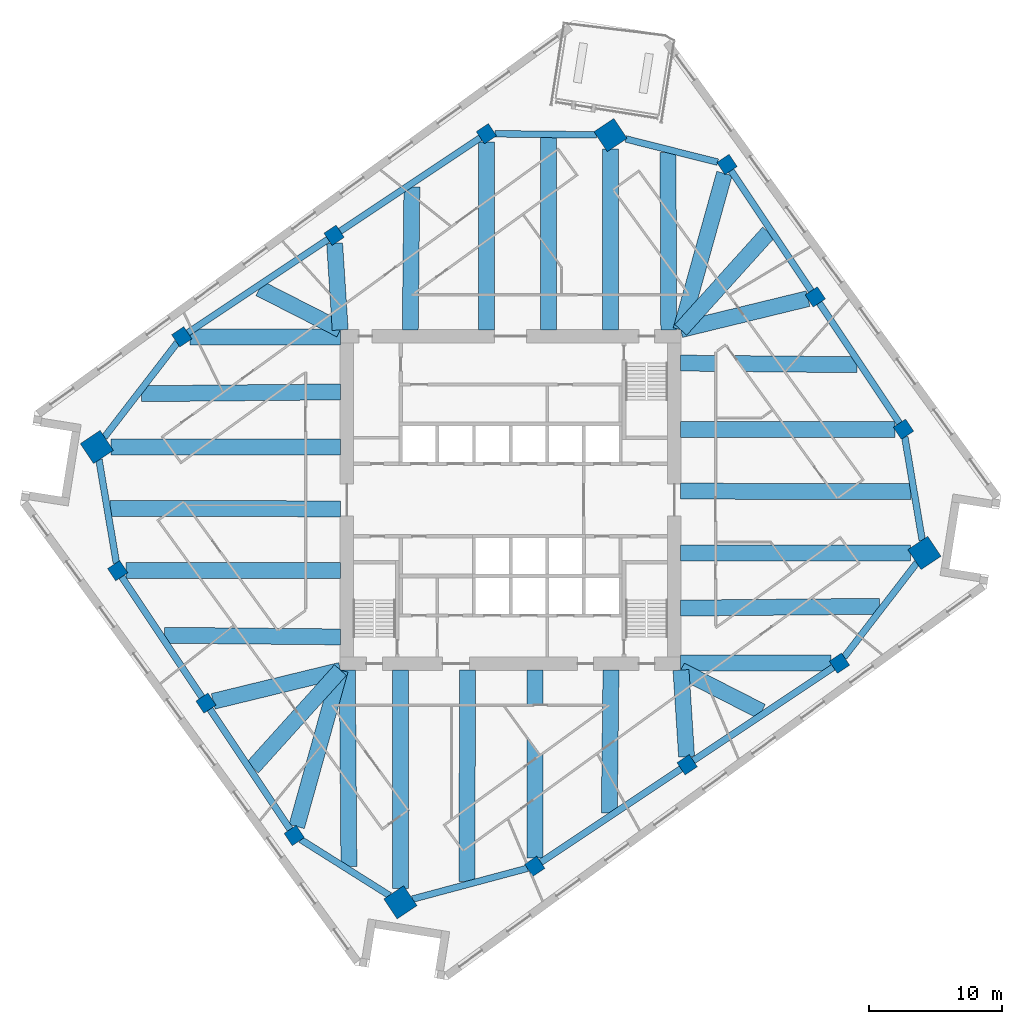
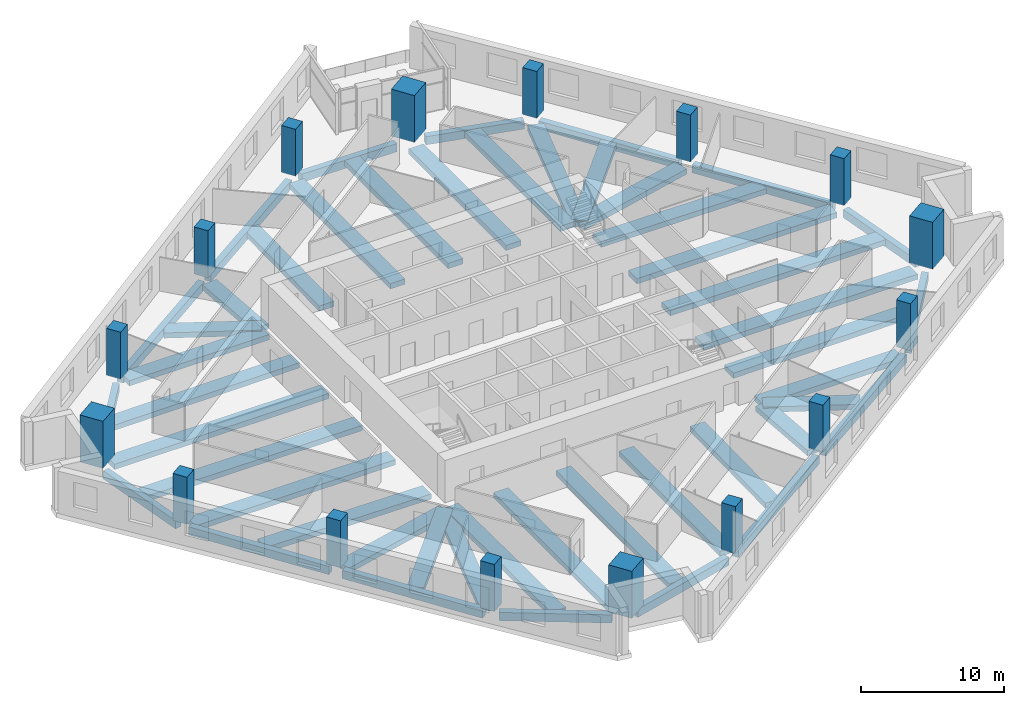
# One storey, part 1 of 11: 48 beams, 16 columns.
"""IFC4 building model written with IfcOpenShell, lengths in metres."""

from ifc_helpers import new_model, si_unit, direction, frame, origin, origin_2d, place, context, subcontext, project, spatial, rectangle, extrude, material, material_profile, profile_set, type_object, element, save


model = new_model("IFC4")

# Units and contexts
model_context = context("Model", 3, precision=1e-05, world=origin(), true_north=direction((0.0, 1.0)))
body_context = subcontext(model_context, "Body", "Model", "MODEL_VIEW")
ifc_project = project(units=[si_unit("LENGTHUNIT", "METRE"), si_unit("AREAUNIT", "SQUARE_METRE"), si_unit("VOLUMEUNIT", "CUBIC_METRE"), si_unit("PLANEANGLEUNIT", "RADIAN"), si_unit("MASSUNIT", "GRAM", prefix="KILO")], contexts=[model_context])

# Site, building, storey
site_placement = place(None, origin())
site = spatial("IfcSite", under=ifc_project, at=site_placement, CompositionType="ELEMENT")
building_placement = place(site_placement, origin())
building = spatial("IfcBuilding", under=site, at=building_placement, Name="Dilmun Exchange Tower", CompositionType="ELEMENT")
storey_placement = place(building_placement, frame((0.0, 0.0, 171.699951171875)))
storey = spatial("IfcBuildingStorey", under=building, at=storey_placement, Name="L40", CompositionType="ELEMENT", Elevation=171.699951171875)

# Columns
ifc_material_1 = material(Name="Concrete C60/75", Category="concrete")
ifc_material_profile_1 = material_profile(ifc_material_1, rectangle(XDim=1.800048828125, YDim=1.800048828125, at=origin_2d()), Name="1800 x 1800")
ifc_profile_set_1 = profile_set([ifc_material_profile_1], Name="Concrete C60/75")
column_type_1 = type_object("IfcColumnType", Name="RC mega column 1800 x 1800 C60/75", PredefinedType="COLUMN", material=ifc_profile_set_1)
for number, where, z_axis, x_axis, name in (
    (1, (7.506103515625, 27.409912109375, 0.0), (0.0, 0.0, 1.0), (0.832028680356, 0.55473261583, 0.0), "Mega column M1"),
    (2, (-31.0791015625, 3.98193359375, 0.0), (0.0, 0.0, 1.0), (0.832028680356, 0.55473261583, 0.0), "Mega column M2"),
    (3, (-8.27587890625, -30.220947265625, 0.0), (0.0, 0.0, 1.0), (0.832028680356, 0.55473261583, 0.0), "Mega column M3"),
    (4, (31.0791015625, -3.98193359375, 0.0), (0.0, 0.0, 1.0), (0.832028680356, 0.55473261583, 0.0), "Mega column M4"),
):
    element("IfcColumn", number, at=place(storey_placement, frame(where, z_axis=z_axis, x_axis=x_axis)), inside=storey, type_object=column_type_1, Name=name, PredefinedType="COLUMN", context=body_context, shape_type="SweptSolid", body=[
        extrude(rectangle(XDim=1.800048828125, YDim=1.800048828125, at=origin_2d()), origin(), (0.0, 0.0, 1.0), 4.0),
    ])
ifc_material_profile_2 = material_profile(ifc_material_1, rectangle(XDim=1.10009765625, YDim=1.10009765625, at=origin_2d()), Name="1100 x 1100")
ifc_profile_set_2 = profile_set([ifc_material_profile_2], Name="Concrete C60/75")
column_type_2 = type_object("IfcColumnType", Name="RC ring column 1100 x 1100 C60/75", PredefinedType="COLUMN", material=ifc_profile_set_2)
for number, where, z_axis, x_axis, name in (
    (5, (-1.818115234375, 27.512939453125, 0.0), (0.0, 0.0, 1.0), (0.832028680356, 0.55473261583, 0.0), "Ring column R01"),
    (6, (-13.258056640625, 19.885009765625, 0.0), (0.0, 0.0, 1.0), (0.832028680356, 0.55473261583, 0.0), "Ring column R02"),
    (7, (-24.698974609375, 12.258056640625, 0.0), (0.0, 0.0, 1.0), (0.832028680356, 0.55473261583, 0.0), "Ring column R03"),
    (8, (-29.510009765625, -5.31201171875, 0.0), (0.0, 0.0, 1.0), (0.832028680356, 0.55473261583, 0.0), "Ring column R04"),
    (9, (-22.881103515625, -15.2548828125, 0.0), (0.0, 0.0, 1.0), (0.832028680356, 0.55473261583, 0.0), "Ring column R05"),
    (10, (-16.251953125, -25.197998046875, 0.0), (0.0, 0.0, 1.0), (0.832028680356, 0.55473261583, 0.0), "Ring column R06"),
    (11, (1.818115234375, -27.512939453125, 0.0), (0.0, 0.0, 1.0), (0.832028680356, 0.55473261583, 0.0), "Ring column R07"),
    (12, (13.258056640625, -19.885009765625, 0.0), (0.0, 0.0, 1.0), (0.832028680356, 0.55473261583, 0.0), "Ring column R08"),
    (13, (24.698974609375, -12.258056640625, 0.0), (0.0, 0.0, 1.0), (0.832028680356, 0.55473261583, 0.0), "Ring column R09"),
    (14, (29.510009765625, 5.31201171875, 0.0), (0.0, 0.0, 1.0), (0.832028680356, 0.55473261583, 0.0), "Ring column R10"),
    (15, (22.881103515625, 15.2548828125, 0.0), (0.0, 0.0, 1.0), (0.832028680356, 0.55473261583, 0.0), "Ring column R11"),
    (16, (16.251953125, 25.197998046875, 0.0), (0.0, 0.0, 1.0), (0.832028680356, 0.55473261583, 0.0), "Ring column R12"),
):
    element("IfcColumn", number, at=place(storey_placement, frame(where, z_axis=z_axis, x_axis=x_axis)), inside=storey, type_object=column_type_2, Name=name, PredefinedType="COLUMN", context=body_context, shape_type="SweptSolid", body=[
        extrude(rectangle(XDim=1.10009765625, YDim=1.10009765625, at=origin_2d()), origin(), (0.0, 0.0, 1.0), 4.0),
    ])

# Beams
ifc_material_2 = material(Name="Concrete C40/50", Category="concrete")
ifc_material_profile_3 = material_profile(ifc_material_2, rectangle(XDim=1.199951171875, YDim=0.449951171875, at=origin_2d()), Name="1200 x 450")
ifc_profile_set_3 = profile_set([ifc_material_profile_3], Name="Concrete C40/50")
beam_type_1 = type_object("IfcBeamType", Name="RC band beam 1200 x 450 C40/50", PredefinedType="BEAM", material=ifc_profile_set_3)
beam_1_placement = place(storey_placement, frame((7.506103515625, 26.355224609375, -0.724853515625), z_axis=(0.0, -1.0, 0.0), x_axis=(1.0, 0.0, 0.0)))
element("IfcBeam", 17, at=beam_1_placement, inside=storey, type_object=beam_type_1, Name="Band beam 1", PredefinedType="BEAM", context=body_context, shape_type="SweptSolid", body=[
    extrude(rectangle(XDim=1.199951171875, YDim=0.449951171875, at=origin_2d()), origin(), (0.0, 0.0, 1.0), 13.582275390625),
])
beam_2_placement = place(storey_placement, frame((-1.818115234375, 26.87890625, -0.724853515625), z_axis=(0.0, -1.0, 0.0), x_axis=(1.0, 0.0, 0.0)))
element("IfcBeam", 18, at=beam_2_placement, inside=storey, type_object=beam_type_1, Name="Band beam 2", PredefinedType="BEAM", context=body_context, shape_type="SweptSolid", body=[
    extrude(rectangle(XDim=1.199951171875, YDim=0.449951171875, at=origin_2d()), origin(), (0.0, 0.0, 1.0), 14.10595703125),
])
beam_3_placement = place(storey_placement, frame((-13.21875, 19.2783203125, -0.724853515625), z_axis=(0.064492965824, -0.997918161654, 0.0), x_axis=(0.997918161654, 0.064492965824, 0.0)))
element("IfcBeam", 19, at=beam_3_placement, inside=storey, type_object=beam_type_1, Name="Band beam 3", PredefinedType="BEAM", context=body_context, shape_type="SweptSolid", body=[
    extrude(rectangle(XDim=1.199951171875, YDim=0.449951171875, at=origin_2d()), origin(), (0.0, 0.0, 1.0), 6.518798828125),
])
beam_4_placement = place(storey_placement, frame((-24.06494140625, 12.258056640625, -0.724853515625), z_axis=(1.0, 0.0, 0.0), x_axis=(0.0, 1.0, 0.0)))
element("IfcBeam", 20, at=beam_4_placement, inside=storey, type_object=beam_type_1, Name="Band beam 4", PredefinedType="BEAM", context=body_context, shape_type="SweptSolid", body=[
    extrude(rectangle(XDim=1.199951171875, YDim=0.449951171875, at=origin_2d()), origin(), (0.0, 0.0, 1.0), 11.2919921875),
])
beam_5_placement = place(storey_placement, frame((-30.0244140625, 3.98193359375, -0.724853515625), z_axis=(1.0, 0.0, 0.0), x_axis=(0.0, 1.0, 0.0)))
element("IfcBeam", 21, at=beam_5_placement, inside=storey, type_object=beam_type_1, Name="Band beam 5", PredefinedType="BEAM", context=body_context, shape_type="SweptSolid", body=[
    extrude(rectangle(XDim=1.199951171875, YDim=0.449951171875, at=origin_2d()), origin(), (0.0, 0.0, 1.0), 17.25146484375),
])
beam_6_placement = place(storey_placement, frame((-28.8759765625, -5.31201171875, -0.724853515625), z_axis=(1.0, 0.0, 0.0), x_axis=(0.0, 1.0, 0.0)))
element("IfcBeam", 22, at=beam_6_placement, inside=storey, type_object=beam_type_1, Name="Band beam 6", PredefinedType="BEAM", context=body_context, shape_type="SweptSolid", body=[
    extrude(rectangle(XDim=1.199951171875, YDim=0.449951171875, at=origin_2d()), origin(), (0.0, 0.0, 1.0), 16.10302734375),
])
beam_7_placement = place(storey_placement, frame((-22.33837890625, -15.122802734375, -0.724853515625), z_axis=(0.971607999859, 0.236596480554, 0.0), x_axis=(-0.236596480554, 0.971607999859, 0.0)))
element("IfcBeam", 23, at=beam_7_placement, inside=storey, type_object=beam_type_1, Name="Band beam 7", PredefinedType="BEAM", context=body_context, shape_type="SweptSolid", body=[
    extrude(rectangle(XDim=1.199951171875, YDim=0.449951171875, at=origin_2d()), origin(), (0.0, 0.0, 1.0), 9.84423828125),
])
beam_8_placement = place(storey_placement, frame((-16.064453125, -24.524658203125, -0.724853515625), z_axis=(0.268225004284, 0.963356292904, 0.0), x_axis=(-0.963356292904, 0.268225004284, 0.0)))
element("IfcBeam", 24, at=beam_8_placement, inside=storey, type_object=beam_type_1, Name="Band beam 8", PredefinedType="BEAM", context=body_context, shape_type="SweptSolid", body=[
    extrude(rectangle(XDim=1.199951171875, YDim=0.449951171875, at=origin_2d()), origin(), (0.0, 0.0, 1.0), 12.19775390625),
])
beam_9_placement = place(storey_placement, frame((-8.27587890625, -29.166259765625, -0.724853515625), z_axis=(0.0, 1.0, 0.0), x_axis=(-1.0, 0.0, 0.0)))
element("IfcBeam", 25, at=beam_9_placement, inside=storey, type_object=beam_type_1, Name="Band beam 9", PredefinedType="BEAM", context=body_context, shape_type="SweptSolid", body=[
    extrude(rectangle(XDim=1.199951171875, YDim=0.449951171875, at=origin_2d()), origin(), (0.0, 0.0, 1.0), 16.393310546875),
])
beam_10_placement = place(storey_placement, frame((1.818115234375, -26.87890625, -0.724853515625), z_axis=(0.0, 1.0, 0.0), x_axis=(-1.0, 0.0, 0.0)))
element("IfcBeam", 26, at=beam_10_placement, inside=storey, type_object=beam_type_1, Name="Band beam 10", PredefinedType="BEAM", context=body_context, shape_type="SweptSolid", body=[
    extrude(rectangle(XDim=1.199951171875, YDim=0.449951171875, at=origin_2d()), origin(), (0.0, 0.0, 1.0), 14.10595703125),
])
beam_11_placement = place(storey_placement, frame((13.21875, -19.2783203125, -0.724853515625), z_axis=(-0.064492965824, 0.997918161654, 0.0), x_axis=(-0.997918161654, -0.064492965824, 0.0)))
element("IfcBeam", 27, at=beam_11_placement, inside=storey, type_object=beam_type_1, Name="Band beam 11", PredefinedType="BEAM", context=body_context, shape_type="SweptSolid", body=[
    extrude(rectangle(XDim=1.199951171875, YDim=0.449951171875, at=origin_2d()), origin(), (0.0, 0.0, 1.0), 6.518798828125),
])
beam_12_placement = place(storey_placement, frame((24.06494140625, -12.258056640625, -0.724853515625), z_axis=(-1.0, 0.0, 0.0), x_axis=(0.0, -1.0, 0.0)))
element("IfcBeam", 28, at=beam_12_placement, inside=storey, type_object=beam_type_1, Name="Band beam 12", PredefinedType="BEAM", context=body_context, shape_type="SweptSolid", body=[
    extrude(rectangle(XDim=1.199951171875, YDim=0.449951171875, at=origin_2d()), origin(), (0.0, 0.0, 1.0), 11.2919921875),
])
beam_13_placement = place(storey_placement, frame((30.0244140625, -3.98193359375, -0.724853515625), z_axis=(-1.0, 0.0, 0.0), x_axis=(0.0, -1.0, 0.0)))
element("IfcBeam", 29, at=beam_13_placement, inside=storey, type_object=beam_type_1, Name="Band beam 13", PredefinedType="BEAM", context=body_context, shape_type="SweptSolid", body=[
    extrude(rectangle(XDim=1.199951171875, YDim=0.449951171875, at=origin_2d()), origin(), (0.0, 0.0, 1.0), 17.25146484375),
])
beam_14_placement = place(storey_placement, frame((28.8759765625, 5.31201171875, -0.724853515625), z_axis=(-1.0, 0.0, 0.0), x_axis=(0.0, -1.0, 0.0)))
element("IfcBeam", 30, at=beam_14_placement, inside=storey, type_object=beam_type_1, Name="Band beam 14", PredefinedType="BEAM", context=body_context, shape_type="SweptSolid", body=[
    extrude(rectangle(XDim=1.199951171875, YDim=0.449951171875, at=origin_2d()), origin(), (0.0, 0.0, 1.0), 16.10302734375),
])
beam_15_placement = place(storey_placement, frame((22.33837890625, 15.122802734375, -0.724853515625), z_axis=(-0.971607999859, -0.236596480554, 0.0), x_axis=(0.236596480554, -0.971607999859, 0.0)))
element("IfcBeam", 31, at=beam_15_placement, inside=storey, type_object=beam_type_1, Name="Band beam 15", PredefinedType="BEAM", context=body_context, shape_type="SweptSolid", body=[
    extrude(rectangle(XDim=1.199951171875, YDim=0.449951171875, at=origin_2d()), origin(), (0.0, 0.0, 1.0), 9.84423828125),
])
beam_16_placement = place(storey_placement, frame((16.064453125, 24.524658203125, -0.724853515625), z_axis=(-0.268225004284, -0.963356292904, 0.0), x_axis=(0.963356292904, -0.268225004284, 0.0)))
element("IfcBeam", 32, at=beam_16_placement, inside=storey, type_object=beam_type_1, Name="Band beam 16", PredefinedType="BEAM", context=body_context, shape_type="SweptSolid", body=[
    extrude(rectangle(XDim=1.199951171875, YDim=0.449951171875, at=origin_2d()), origin(), (0.0, 0.0, 1.0), 12.19775390625),
])
beam_17_placement = place(storey_placement, frame((2.841552734375, 27.238525390625, -0.625), z_axis=(0.00016877352, -0.999999985758, 0.0), x_axis=(0.999999985758, 0.00016877352, 0.0)))
element("IfcBeam", 33, at=beam_17_placement, inside=storey, type_object=beam_type_1, Name="Band beam 17", PredefinedType="BEAM", context=body_context, shape_type="SweptSolid", body=[
    extrude(rectangle(XDim=1.199951171875, YDim=0.449951171875, at=origin_2d()), origin(), (0.0, 0.0, 1.0), 14.465576171875),
])
beam_18_placement = place(storey_placement, frame((-7.414306640625, 23.513427734375, -0.625), z_axis=(-0.011523795482, -0.999933598864, 0.0), x_axis=(0.999933598864, -0.011523795482, 0.0)))
element("IfcBeam", 34, at=beam_18_placement, inside=storey, type_object=beam_type_1, Name="Band beam 18", PredefinedType="BEAM", context=body_context, shape_type="SweptSolid", body=[
    extrude(rectangle(XDim=1.199951171875, YDim=0.449951171875, at=origin_2d()), origin(), (0.0, 0.0, 1.0), 10.7412109375),
])
beam_19_placement = place(storey_placement, frame((-18.854736328125, 15.885986328125, -0.625), z_axis=(0.890922045004, -0.454156261354, 0.0), x_axis=(0.454156261354, 0.890922045004, 0.0)))
element("IfcBeam", 35, at=beam_19_placement, inside=storey, type_object=beam_type_1, Name="Band beam 19", PredefinedType="BEAM", context=body_context, shape_type="SweptSolid", body=[
    extrude(rectangle(XDim=1.199951171875, YDim=0.449951171875, at=origin_2d()), origin(), (0.0, 0.0, 1.0), 6.82275390625),
])
beam_20_placement = place(storey_placement, frame((-27.71240234375, 7.98388671875, -0.625), z_axis=(0.99995842598, 0.009118459957, 0.0), x_axis=(-0.009118459957, 0.99995842598, 0.0)))
element("IfcBeam", 36, at=beam_20_placement, inside=storey, type_object=beam_type_1, Name="Band beam 20", PredefinedType="BEAM", context=body_context, shape_type="SweptSolid", body=[
    extrude(rectangle(XDim=1.199951171875, YDim=0.449951171875, at=origin_2d()), origin(), (0.0, 0.0, 1.0), 14.940185546875),
])
beam_21_placement = place(storey_placement, frame((-30.07470703125, -0.6279296875, -0.625), z_axis=(0.999997699854, -0.002144827713, 0.0), x_axis=(0.002144827713, 0.999997699854, 0.0)))
element("IfcBeam", 37, at=beam_21_placement, inside=storey, type_object=beam_type_1, Name="Band beam 21", PredefinedType="BEAM", context=body_context, shape_type="SweptSolid", body=[
    extrude(rectangle(XDim=1.199951171875, YDim=0.449951171875, at=origin_2d()), origin(), (0.0, 0.0, 1.0), 17.3017578125),
])
beam_22_placement = place(storey_placement, frame((-26.010009765625, -10.159912109375, -0.625), z_axis=(0.999956454863, -0.009332115424, 0.0), x_axis=(0.009332115424, 0.999956454863, 0.0)))
element("IfcBeam", 38, at=beam_22_placement, inside=storey, type_object=beam_type_1, Name="Band beam 22", PredefinedType="BEAM", context=body_context, shape_type="SweptSolid", body=[
    extrude(rectangle(XDim=1.199951171875, YDim=0.449951171875, at=origin_2d()), origin(), (0.0, 0.0, 1.0), 13.237548828125),
])
beam_23_placement = place(storey_placement, frame((-19.381103515625, -20.102783203125, -0.625), z_axis=(0.669462647611, 0.742845719819, 0.0), x_axis=(-0.742845719819, 0.669462647611, 0.0)))
element("IfcBeam", 39, at=beam_23_placement, inside=storey, type_object=beam_type_1, Name="Band beam 23", PredefinedType="BEAM", context=body_context, shape_type="SweptSolid", body=[
    extrude(rectangle(XDim=1.199951171875, YDim=0.449951171875, at=origin_2d()), origin(), (0.0, 0.0, 1.0), 9.857666015625),
])
beam_24_placement = place(storey_placement, frame((-12.145263671875, -27.520751953125, -0.625), z_axis=(-0.008045164826, 0.999967637138, 0.0), x_axis=(-0.999967637138, -0.008045164826, 0.0)))
element("IfcBeam", 40, at=beam_24_placement, inside=storey, type_object=beam_type_1, Name="Band beam 24", PredefinedType="BEAM", context=body_context, shape_type="SweptSolid", body=[
    extrude(rectangle(XDim=1.199951171875, YDim=0.449951171875, at=origin_2d()), origin(), (0.0, 0.0, 1.0), 14.748291015625),
])
beam_25_placement = place(storey_placement, frame((-3.286865234375, -28.651611328125, -0.625), z_axis=(0.003643943273, 0.999993360817, 0.0), x_axis=(-0.999993360817, 0.003643943273, 0.0)))
element("IfcBeam", 41, at=beam_25_placement, inside=storey, type_object=beam_type_1, Name="Band beam 25", PredefinedType="BEAM", context=body_context, shape_type="SweptSolid", body=[
    extrude(rectangle(XDim=1.199951171875, YDim=0.449951171875, at=origin_2d()), origin(), (0.0, 0.0, 1.0), 15.878662109375),
])
beam_26_placement = place(storey_placement, frame((7.414306640625, -23.513427734375, -0.625), z_axis=(0.011523795482, 0.999933598864, 0.0), x_axis=(-0.999933598864, 0.011523795482, 0.0)))
element("IfcBeam", 42, at=beam_26_placement, inside=storey, type_object=beam_type_1, Name="Band beam 26", PredefinedType="BEAM", context=body_context, shape_type="SweptSolid", body=[
    extrude(rectangle(XDim=1.199951171875, YDim=0.449951171875, at=origin_2d()), origin(), (0.0, 0.0, 1.0), 10.7412109375),
])
beam_27_placement = place(storey_placement, frame((18.854736328125, -15.885986328125, -0.625), z_axis=(-0.890922045004, 0.454156261354, 0.0), x_axis=(-0.454156261354, -0.890922045004, 0.0)))
element("IfcBeam", 43, at=beam_27_placement, inside=storey, type_object=beam_type_1, Name="Band beam 27", PredefinedType="BEAM", context=body_context, shape_type="SweptSolid", body=[
    extrude(rectangle(XDim=1.199951171875, YDim=0.449951171875, at=origin_2d()), origin(), (0.0, 0.0, 1.0), 6.82275390625),
])
beam_28_placement = place(storey_placement, frame((27.71240234375, -7.98388671875, -0.625), z_axis=(-0.99995842598, -0.009118459957, 0.0), x_axis=(0.009118459957, -0.99995842598, 0.0)))
element("IfcBeam", 44, at=beam_28_placement, inside=storey, type_object=beam_type_1, Name="Band beam 28", PredefinedType="BEAM", context=body_context, shape_type="SweptSolid", body=[
    extrude(rectangle(XDim=1.199951171875, YDim=0.449951171875, at=origin_2d()), origin(), (0.0, 0.0, 1.0), 14.940185546875),
])
beam_29_placement = place(storey_placement, frame((30.07470703125, 0.6279296875, -0.625), z_axis=(-0.999997699854, 0.002144827713, 0.0), x_axis=(-0.002144827713, -0.999997699854, 0.0)))
element("IfcBeam", 45, at=beam_29_placement, inside=storey, type_object=beam_type_1, Name="Band beam 29", PredefinedType="BEAM", context=body_context, shape_type="SweptSolid", body=[
    extrude(rectangle(XDim=1.199951171875, YDim=0.449951171875, at=origin_2d()), origin(), (0.0, 0.0, 1.0), 17.3017578125),
])
beam_30_placement = place(storey_placement, frame((26.010009765625, 10.159912109375, -0.625), z_axis=(-0.999956454863, 0.009332115424, 0.0), x_axis=(-0.009332115424, -0.999956454863, 0.0)))
element("IfcBeam", 46, at=beam_30_placement, inside=storey, type_object=beam_type_1, Name="Band beam 30", PredefinedType="BEAM", context=body_context, shape_type="SweptSolid", body=[
    extrude(rectangle(XDim=1.199951171875, YDim=0.449951171875, at=origin_2d()), origin(), (0.0, 0.0, 1.0), 13.237548828125),
])
beam_31_placement = place(storey_placement, frame((19.381103515625, 20.102783203125, -0.625), z_axis=(-0.669462647611, -0.742845719819, 0.0), x_axis=(0.742845719819, -0.669462647611, 0.0)))
element("IfcBeam", 47, at=beam_31_placement, inside=storey, type_object=beam_type_1, Name="Band beam 31", PredefinedType="BEAM", context=body_context, shape_type="SweptSolid", body=[
    extrude(rectangle(XDim=1.199951171875, YDim=0.449951171875, at=origin_2d()), origin(), (0.0, 0.0, 1.0), 9.857666015625),
])
beam_32_placement = place(storey_placement, frame((11.82421875, 26.087890625, -0.625), z_axis=(0.004107193345, -0.999991565446, 0.0), x_axis=(0.999991565446, 0.004107193345, 0.0)))
element("IfcBeam", 48, at=beam_32_placement, inside=storey, type_object=beam_type_1, Name="Band beam 32", PredefinedType="BEAM", context=body_context, shape_type="SweptSolid", body=[
    extrude(rectangle(XDim=1.199951171875, YDim=0.449951171875, at=origin_2d()), origin(), (0.0, 0.0, 1.0), 13.31494140625),
])
ifc_material_profile_4 = material_profile(ifc_material_2, rectangle(XDim=0.5, YDim=0.699951171875, at=origin_2d()), Name="500 x 700")
ifc_profile_set_4 = profile_set([ifc_material_profile_4], Name="Concrete C40/50")
beam_type_2 = type_object("IfcBeamType", Name="RC ring beam 500 x 700 C40/50", PredefinedType="SPANDREL", material=ifc_profile_set_4)
beam_33_placement = place(storey_placement, frame((6.443359375, 27.421630859375, -0.75), z_axis=(-0.999938955437, 0.011049226175, 0.0), x_axis=(-0.011049226175, -0.999938955437, 0.0)))
element("IfcBeam", 49, at=beam_33_placement, inside=storey, type_object=beam_type_2, Name="Ring beam 1", PredefinedType="SPANDREL", context=body_context, shape_type="SweptSolid", body=[
    extrude(rectangle(XDim=0.5, YDim=0.699951171875, at=origin_2d()), origin(), (0.0, 0.0, 1.0), 7.623046875),
])
beam_34_placement = place(storey_placement, frame((-2.253173828125, 27.222900390625, -0.75), z_axis=(-0.832002986666, -0.554771151177, 0.0), x_axis=(0.554771151177, -0.832002986666, 0.0)))
element("IfcBeam", 50, at=beam_34_placement, inside=storey, type_object=beam_type_2, Name="Ring beam 2", PredefinedType="SPANDREL", context=body_context, shape_type="SweptSolid", body=[
    extrude(rectangle(XDim=0.5, YDim=0.699951171875, at=origin_2d()), origin(), (0.0, 0.0, 1.0), 12.7041015625),
])
beam_35_placement = place(storey_placement, frame((-13.693115234375, 19.594970703125, -0.75), z_axis=(-0.832062120058, -0.554682457235, 0.0), x_axis=(0.554682457235, -0.832062120058, 0.0)))
element("IfcBeam", 51, at=beam_35_placement, inside=storey, type_object=beam_type_2, Name="Ring beam 3", PredefinedType="SPANDREL", context=body_context, shape_type="SweptSolid", body=[
    extrude(rectangle(XDim=0.5, YDim=0.699951171875, at=origin_2d()), origin(), (0.0, 0.0, 1.0), 12.704345703125),
])
beam_36_placement = place(storey_placement, frame((-25.037109375, 11.819580078125, -0.75), z_axis=(-0.610521727247, -0.791999507929, 0.0), x_axis=(0.791999507929, -0.610521727247, 0.0)))
element("IfcBeam", 52, at=beam_36_placement, inside=storey, type_object=beam_type_2, Name="Ring beam 4", PredefinedType="SPANDREL", context=body_context, shape_type="SweptSolid", body=[
    extrude(rectangle(XDim=0.5, YDim=0.699951171875, at=origin_2d()), origin(), (0.0, 0.0, 1.0), 8.97314453125),
])
beam_37_placement = place(storey_placement, frame((-30.91943359375, 3.036376953125, -0.75), z_axis=(0.166485785433, -0.986043854628, 0.0), x_axis=(0.986043854628, 0.166485785433, 0.0)))
element("IfcBeam", 53, at=beam_37_placement, inside=storey, type_object=beam_type_2, Name="Ring beam 5", PredefinedType="SPANDREL", context=body_context, shape_type="SweptSolid", body=[
    extrude(rectangle(XDim=0.5, YDim=0.699951171875, at=origin_2d()), origin(), (0.0, 0.0, 1.0), 7.890869140625),
])
for number, where, z_axis, x_axis, name in (
    (54, (-29.219970703125, -5.747314453125, -0.75), (0.554731197186, -0.832029626196, 0.0), (0.832029626196, 0.554731197186, 0.0), "Ring beam 6"),
    (55, (-22.5908203125, -15.690185546875, -0.75), (0.554731197186, -0.832029626196, 0.0), (0.832029626196, 0.554731197186, 0.0), "Ring beam 7"),
):
    element("IfcBeam", number, at=place(storey_placement, frame(where, z_axis=z_axis, x_axis=x_axis)), inside=storey, type_object=beam_type_2, Name=name, PredefinedType="SPANDREL", context=body_context, shape_type="SweptSolid", body=[
        extrude(rectangle(XDim=0.5, YDim=0.699951171875, at=origin_2d()), origin(), (0.0, 0.0, 1.0), 10.904052734375),
    ])
beam_38_placement = place(storey_placement, frame((-15.764892578125, -25.504638671875, -0.75), z_axis=(0.846177038183, -0.532901885953, 0.0), x_axis=(0.532901885953, 0.846177038183, 0.0)))
element("IfcBeam", 56, at=beam_38_placement, inside=storey, type_object=beam_type_2, Name="Ring beam 8", PredefinedType="SPANDREL", context=body_context, shape_type="SweptSolid", body=[
    extrude(rectangle(XDim=0.5, YDim=0.699951171875, at=origin_2d()), origin(), (0.0, 0.0, 1.0), 7.891357421875),
])
beam_39_placement = place(storey_placement, frame((-7.384521484375, -29.981689453125, -0.75), z_axis=(0.965850974034, 0.259098236113, 0.0), x_axis=(-0.259098236113, 0.965850974034, 0.0)))
element("IfcBeam", 57, at=beam_39_placement, inside=storey, type_object=beam_type_2, Name="Ring beam 9", PredefinedType="SPANDREL", context=body_context, shape_type="SweptSolid", body=[
    extrude(rectangle(XDim=0.5, YDim=0.699951171875, at=origin_2d()), origin(), (0.0, 0.0, 1.0), 8.97412109375),
])
beam_40_placement = place(storey_placement, frame((2.253173828125, -27.222900390625, -0.75), z_axis=(0.832002986666, 0.554771151177, 0.0), x_axis=(-0.554771151177, 0.832002986666, 0.0)))
element("IfcBeam", 58, at=beam_40_placement, inside=storey, type_object=beam_type_2, Name="Ring beam 10", PredefinedType="SPANDREL", context=body_context, shape_type="SweptSolid", body=[
    extrude(rectangle(XDim=0.5, YDim=0.699951171875, at=origin_2d()), origin(), (0.0, 0.0, 1.0), 12.7041015625),
])
beam_41_placement = place(storey_placement, frame((13.693115234375, -19.594970703125, -0.75), z_axis=(0.832062120058, 0.554682457235, 0.0), x_axis=(-0.554682457235, 0.832062120058, 0.0)))
element("IfcBeam", 59, at=beam_41_placement, inside=storey, type_object=beam_type_2, Name="Ring beam 11", PredefinedType="SPANDREL", context=body_context, shape_type="SweptSolid", body=[
    extrude(rectangle(XDim=0.5, YDim=0.699951171875, at=origin_2d()), origin(), (0.0, 0.0, 1.0), 12.704345703125),
])
beam_42_placement = place(storey_placement, frame((25.037109375, -11.819580078125, -0.75), z_axis=(0.610521727247, 0.791999507929, 0.0), x_axis=(-0.791999507929, 0.610521727247, 0.0)))
element("IfcBeam", 60, at=beam_42_placement, inside=storey, type_object=beam_type_2, Name="Ring beam 12", PredefinedType="SPANDREL", context=body_context, shape_type="SweptSolid", body=[
    extrude(rectangle(XDim=0.5, YDim=0.699951171875, at=origin_2d()), origin(), (0.0, 0.0, 1.0), 8.97314453125),
])
beam_43_placement = place(storey_placement, frame((30.91943359375, -3.036376953125, -0.75), z_axis=(-0.166485785433, 0.986043854628, 0.0), x_axis=(-0.986043854628, -0.166485785433, 0.0)))
element("IfcBeam", 61, at=beam_43_placement, inside=storey, type_object=beam_type_2, Name="Ring beam 13", PredefinedType="SPANDREL", context=body_context, shape_type="SweptSolid", body=[
    extrude(rectangle(XDim=0.5, YDim=0.699951171875, at=origin_2d()), origin(), (0.0, 0.0, 1.0), 7.890869140625),
])
for number, where, z_axis, x_axis, name in (
    (62, (29.219970703125, 5.747314453125, -0.75), (-0.554731197186, 0.832029626196, 0.0), (-0.832029626196, -0.554731197186, 0.0), "Ring beam 14"),
    (63, (22.5908203125, 15.690185546875, -0.75), (-0.554731197186, 0.832029626196, 0.0), (-0.832029626196, -0.554731197186, 0.0), "Ring beam 15"),
):
    element("IfcBeam", number, at=place(storey_placement, frame(where, z_axis=z_axis, x_axis=x_axis)), inside=storey, type_object=beam_type_2, Name=name, PredefinedType="SPANDREL", context=body_context, shape_type="SweptSolid", body=[
        extrude(rectangle(XDim=0.5, YDim=0.699951171875, at=origin_2d()), origin(), (0.0, 0.0, 1.0), 10.904052734375),
    ])
beam_44_placement = place(storey_placement, frame((15.559326171875, 25.373291015625, -0.75), z_axis=(-0.96947736899, 0.245180812903, 0.0), x_axis=(-0.245180812903, -0.96947736899, 0.0)))
element("IfcBeam", 64, at=beam_44_placement, inside=storey, type_object=beam_type_2, Name="Ring beam 16", PredefinedType="SPANDREL", context=body_context, shape_type="SweptSolid", body=[
    extrude(rectangle(XDim=0.5, YDim=0.699951171875, at=origin_2d()), origin(), (0.0, 0.0, 1.0), 7.12060546875),
])

save(model, "model.ifc")
